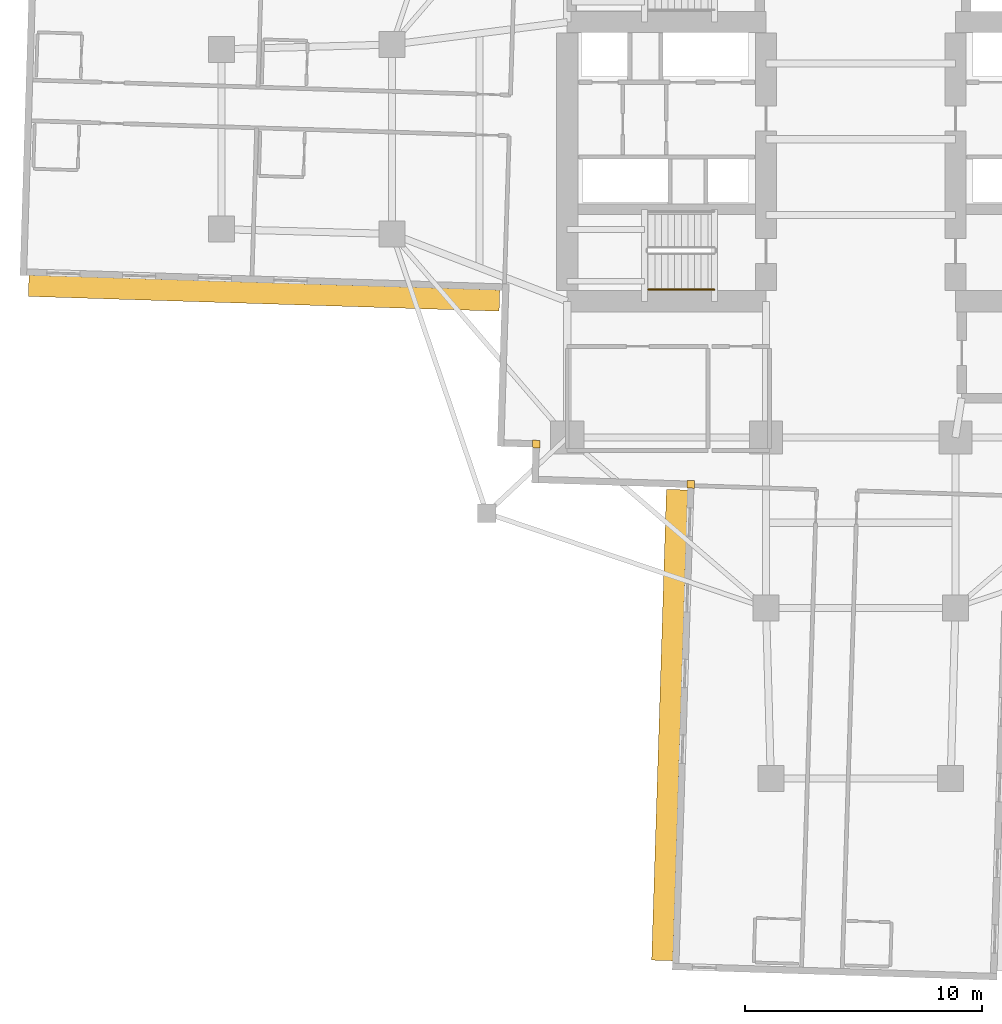
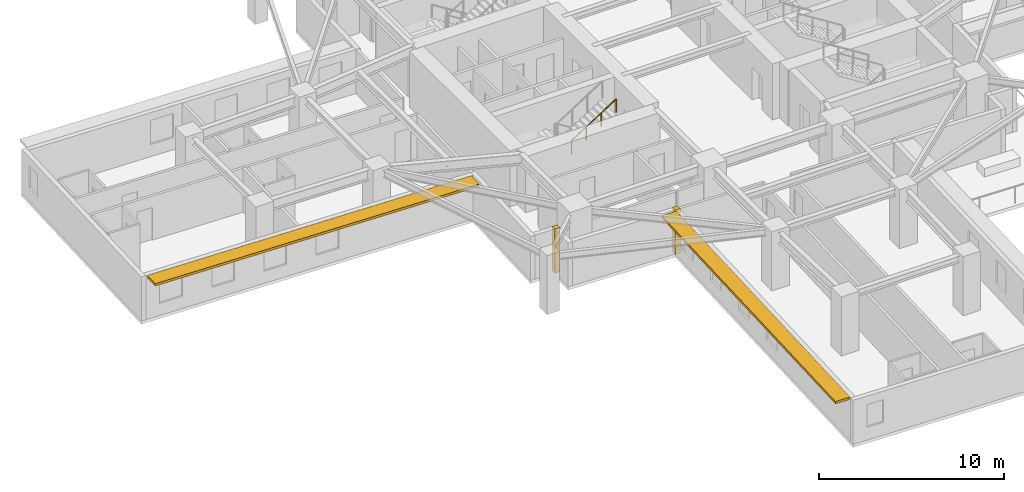
# One storey, part 9 of 13: 2 coverings, 2 shading devices, 1 railing.
"""IFC4 building model written with IfcOpenShell, lengths in metres."""

from ifc_helpers import new_model, si_unit, direction, frame, origin, origin_2d, place, context, subcontext, project, spatial, rectangle, circle, extrude, material, layer, layer_set, type_object, element, save


model = new_model("IFC4")

# Units and contexts
model_context = context("Model", 3, precision=1e-05, world=origin(), true_north=direction((0.0, 1.0)))
body_context = subcontext(model_context, "Body", "Model", "MODEL_VIEW")
ifc_project = project(units=[si_unit("LENGTHUNIT", "METRE"), si_unit("AREAUNIT", "SQUARE_METRE"), si_unit("VOLUMEUNIT", "CUBIC_METRE"), si_unit("PLANEANGLEUNIT", "RADIAN"), si_unit("MASSUNIT", "GRAM", prefix="KILO")], contexts=[model_context])

# Site, building, storey
site_placement = place(None, origin())
site = spatial("IfcSite", under=ifc_project, at=site_placement, CompositionType="ELEMENT")
building_placement = place(site_placement, origin())
building = spatial("IfcBuilding", under=site, at=building_placement, Name="Qingluan Cross Belvedere", CompositionType="ELEMENT")
storey_placement = place(building_placement, frame((0.0, 0.0, 71.699951171875)))
storey = spatial("IfcBuildingStorey", under=building, at=storey_placement, Name="L18", CompositionType="ELEMENT", Elevation=71.699951171875)

# Coverings
ifc_material_1 = material(Name="Precast concrete C45", Category="concrete")
ifc_layer_1 = layer(ifc_material_1, 0.1201171875, Name="ConcreteSpandrelCladding_120")
ifc_layer_set_1 = layer_set([ifc_layer_1], Name="Precast concrete C45")
covering_type = type_object("IfcCoveringType", Name="ConcreteSpandrelCladding_120", PredefinedType="CLADDING", material=ifc_layer_set_1)
for number, where, z_axis, x_axis, name in (
    (1, (-13.711181640625, -12.875732421875, 0.0), (0.0, 0.0, 1.0), (0.999506560366, -0.031410759078, 0.0), "Corner closure L18-SW1"),
    (2, (-7.181640625, -14.58154296875, 0.0), (0.0, 0.0, 1.0), (0.999506560366, -0.031410759078, 0.0), "Corner closure L18-SW2"),
):
    element("IfcCovering", number, at=place(storey_placement, frame(where, z_axis=z_axis, x_axis=x_axis)), inside=storey, type_object=covering_type, Name=name, PredefinedType="CLADDING", context=body_context, shape_type="SweptSolid", body=[
        extrude(rectangle(XDim=0.320068359375, YDim=0.320068359375, at=origin_2d()), origin(), (0.0, 0.0, 1.0), 2.909912109375),
    ])

# Shading devices
ifc_material_2 = material(Name="Precast concrete C45", Category="concrete")
ifc_layer_2 = layer(ifc_material_2, 0.159912109375, Name="ConcreteSunshadeBand_900")
ifc_layer_set_2 = layer_set([ifc_layer_2], Name="Precast concrete C45")
shading_device_type = type_object("IfcShadingDeviceType", Name="ConcreteSunshadeBand_900", PredefinedType="USERDEFINED", material=ifc_layer_set_2)
for number, where, z_axis, x_axis, name in (
    (3, (-25.206787109375, -6.50146484375, 2.72998046875), (0.0, 0.0, 1.0), (0.999506649124, -0.031407934627, 0.0), "Concrete SUNSHADE L18-WB"),
    (4, (-8.0712890625, -24.74853515625, 2.72998046875), (0.0, 0.0, 1.0), (-0.031407934627, -0.999506649124, 0.0), "Concrete SUNSHADE L18-SA"),
):
    element("IfcShadingDevice", number, at=place(storey_placement, frame(where, z_axis=z_axis, x_axis=x_axis)), inside=storey, type_object=shading_device_type, Name=name, ObjectType="SUNSHADE", PredefinedType="USERDEFINED", context=body_context, shape_type="SweptSolid", body=[
        extrude(rectangle(XDim=19.89990234375, YDim=0.89990234375, at=origin_2d()), origin(), (0.0, 0.0, 1.0), 0.159912109375),
    ])

# Railing
ifc_material_3 = material(Name="Brushed stainless steel tubular handrail", Category="steel")
railing_type = type_object("IfcRailingType", Name="StairPitchHandrail_900", PredefinedType="HANDRAIL", material=ifc_material_3)
railing_placement = place(storey_placement, frame((-8.97998046875, -6.35009765625, 2.12744140625)))
element("IfcRailing", 5, at=railing_placement, inside=storey, type_object=railing_type, Name="L18 ST1 stair handrail 2", PredefinedType="HANDRAIL", context=body_context, shape_type="SweptSolid", body=[
    extrude(circle(Radius=0.02392578125, at=origin_2d()), frame((0.0, 0.0, 0.8759765625), z_axis=(0.844908973607, 0.0, 0.534910110503), x_axis=(0.0, 1.0, 0.0)), (0.0, 0.0, 1.0), 3.31396484375),
    extrude(circle(Radius=0.02099609375, at=origin_2d()), origin(), (0.0, 0.0, 1.0), 0.851806640625),
    extrude(circle(Radius=0.02099609375, at=origin_2d()), frame((0.933349609375, 0.0, 0.5908203125)), (0.0, 0.0, 1.0), 0.851806640625),
    extrude(circle(Radius=0.02099609375, at=origin_2d()), frame((1.86669921875, 0.0, 1.181884765625)), (0.0, 0.0, 1.0), 0.851806640625),
    extrude(circle(Radius=0.02099609375, at=origin_2d()), frame((2.800048828125, 0.0, 1.772705078125)), (0.0, 0.0, 1.0), 0.851806640625),
])

save(model, "model.ifc")
